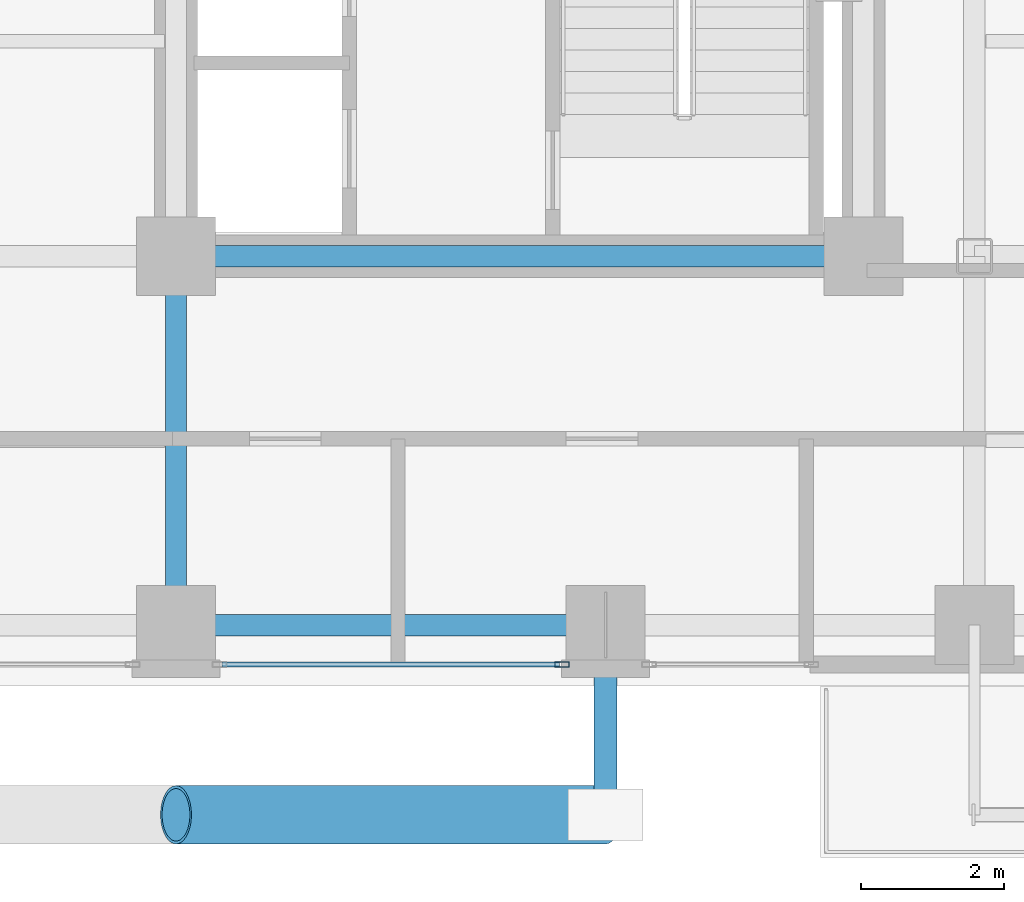
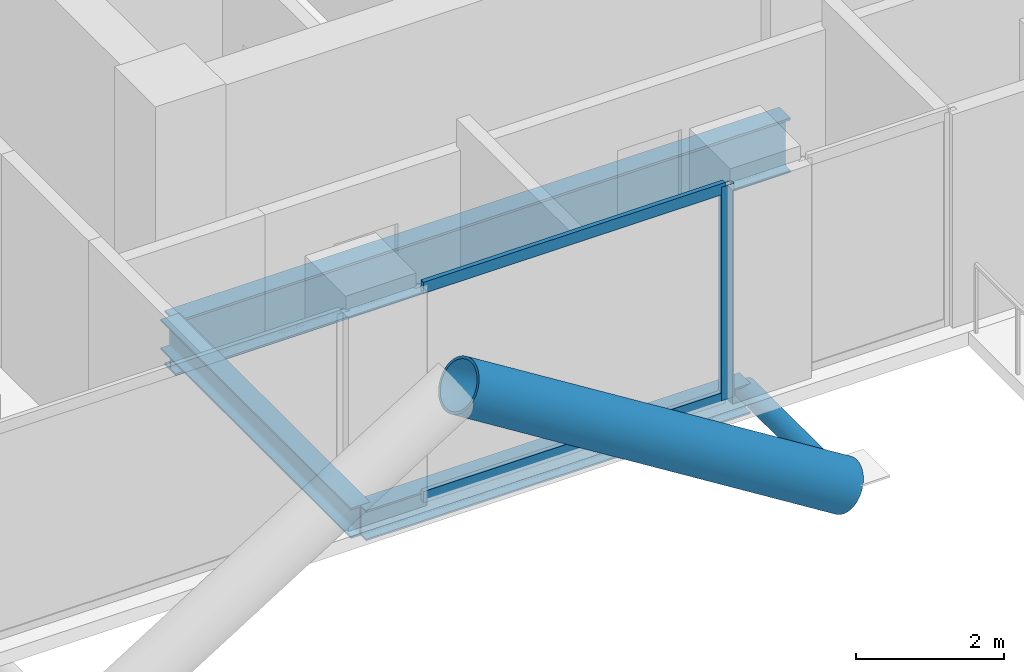
# One storey, part 5 of 28: 5 members, 3 beams, 1 element without a shape of its own.
"""IFC4 building model written with IfcOpenShell, lengths in metres."""

from ifc_helpers import new_model, si_unit, direction, frame, origin, origin_2d, place, context, subcontext, project, spatial, hollow_rectangle, hollow_circle, i_section, extrude, material, layer, layer_set, material_profile, profile_set, type_object, element, aggregate, save


model = new_model("IFC4")

# Units and contexts
model_context = context("Model", 3, precision=1e-05, world=origin(), true_north=direction((0.0, 1.0)))
body_context = subcontext(model_context, "Body", "Model", "MODEL_VIEW")
ifc_project = project(units=[si_unit("LENGTHUNIT", "METRE"), si_unit("AREAUNIT", "SQUARE_METRE"), si_unit("VOLUMEUNIT", "CUBIC_METRE"), si_unit("PLANEANGLEUNIT", "RADIAN"), si_unit("MASSUNIT", "GRAM", prefix="KILO"), si_unit("THERMODYNAMICTEMPERATUREUNIT", "KELVIN"), si_unit("POWERUNIT", "WATT")], contexts=[model_context])

# Site, building, storey
site_placement = place(None, origin())
site = spatial("IfcSite", under=ifc_project, at=site_placement, CompositionType="ELEMENT")
building_placement = place(site_placement, origin())
building = spatial("IfcBuilding", under=site, at=building_placement, Name="Svarakhadi Broadcast Tower", CompositionType="ELEMENT")
storey_placement = place(building_placement, frame((0.0, 0.0, 119.39990234375)))
storey = spatial("IfcBuildingStorey", under=building, at=storey_placement, Name="L28", CompositionType="ELEMENT", Elevation=119.39990234375)

# Curtain wall, members
ifc_material_1 = material(Name="Anodised Bronze Aluminium AA 6063-T6", Category="aluminium")
ifc_layer = layer(ifc_material_1, 0.199951171875)
ifc_layer_set = layer_set([ifc_layer], Name="Anodised Bronze Aluminium AA 6063-T6")
curtain_wall_type = type_object("IfcCurtainWallType", Name="CW_Sys_03", PredefinedType="NOTDEFINED", material=ifc_layer_set)
curtain_wall_placement = place(storey_placement, origin())
curtain_wall = element("IfcCurtainWall", 1, at=curtain_wall_placement, inside=storey, type_object=curtain_wall_type, Name="L28 South Curtain Wall 17 Bay 2", PredefinedType="NOTDEFINED")
ifc_material_profile_1 = material_profile(ifc_material_1, hollow_rectangle(XDim=0.074951171875, YDim=0.199951171875, WallThickness=0.005615234375, at=origin_2d()), Name="ALU MULLION 200x75x6")
ifc_profile_set_1 = profile_set([ifc_material_profile_1], Name="Anodised Bronze Aluminium AA 6063-T6")
member_type_1 = type_object("IfcMemberType", Name="CW_Sys_03_Mul", PredefinedType="MULLION", material=ifc_profile_set_1)
member_1_placement = place(storey_placement, frame((29.392578125, 0.300048828125, 0.0), z_axis=(0.0, 0.0, 1.0), x_axis=(0.0, -1.0, 0.0)))
member_1 = element("IfcMember", 2, at=member_1_placement, type_object=member_type_1, Name="CW-03 mullion 1", PredefinedType="MULLION", context=body_context, shape_type="SweptSolid", body=[
    extrude(hollow_rectangle(XDim=0.074951171875, YDim=0.199951171875, WallThickness=0.005615234375, at=origin_2d()), origin(), (0.0, 0.0, 1.0), 3.525146484375),
])
ifc_material_profile_2 = material_profile(ifc_material_1, hollow_rectangle(XDim=0.070068359375, YDim=0.18505859375, WallThickness=0.0048828125, at=origin_2d()), Name="ALU TRANSOM 185x70x5")
ifc_profile_set_2 = profile_set([ifc_material_profile_2], Name="Anodised Bronze Aluminium AA 6063-T6")
member_type_2 = type_object("IfcMemberType", Name="CW_Sys_03_Trn", PredefinedType="USERDEFINED", material=ifc_profile_set_2)
member_2_placement = place(storey_placement, frame((29.35498046875, 0.300048828125, 0.03515625), z_axis=(-1.0, 0.0, 0.0), x_axis=(0.0, -1.0, 0.0)))
member_2 = element("IfcMember", 3, at=member_2_placement, type_object=member_type_2, Name="CW-03 transom 1.1", ObjectType="TRANSOM", PredefinedType="USERDEFINED", context=body_context, shape_type="SweptSolid", body=[
    extrude(hollow_rectangle(XDim=0.070068359375, YDim=0.18505859375, WallThickness=0.0048828125, at=origin_2d()), origin(), (0.0, 0.0, 1.0), 4.7099609375),
])
member_3_placement = place(storey_placement, frame((29.35498046875, 0.300048828125, 3.489990234375), z_axis=(-1.0, 0.0, 0.0), x_axis=(0.0, -1.0, 0.0)))
member_3 = element("IfcMember", 4, at=member_3_placement, type_object=member_type_2, Name="CW-03 transom 1.2", ObjectType="TRANSOM", PredefinedType="USERDEFINED", context=body_context, shape_type="SweptSolid", body=[
    extrude(hollow_rectangle(XDim=0.070068359375, YDim=0.18505859375, WallThickness=0.0048828125, at=origin_2d()), origin(), (0.0, 0.0, 1.0), 4.7099609375),
])
aggregate(curtain_wall, [member_1, member_2, member_3])

# Members
ifc_material_2 = material(Name="Steel S460ML (IS 2062 E450BR)", Category="steel")
ifc_material_profile_3 = material_profile(ifc_material_2, hollow_circle(Radius=0.406494140625, WallThickness=0.0400390625, at=origin_2d()), Name="CHS 813x40")
ifc_profile_set_3 = profile_set([ifc_material_profile_3], Name="Steel S460ML (IS 2062 E450BR)")
member_type_3 = type_object("IfcMemberType", Name="Exo_Brace_CHS813", PredefinedType="BRACE", material=ifc_profile_set_3)
member_4_placement = place(storey_placement, frame((30.0, -1.800048828125, -0.386962890625), z_axis=(-0.847998304005, 0.0, 0.529998940003), x_axis=(0.0, -1.0, 0.0)))
element("IfcMember", 5, at=member_4_placement, inside=storey, type_object=member_type_3, Name="L28 Exposed Bronze Exoskeleton Diagonal S04", PredefinedType="BRACE", context=body_context, shape_type="SweptSolid", body=[
    extrude(hollow_circle(Radius=0.406494140625, WallThickness=0.0400390625, at=origin_2d()), origin(), (0.0, 0.0, 1.0), 7.075439453125),
])
ifc_material_profile_4 = material_profile(ifc_material_2, hollow_circle(Radius=0.161865234375, WallThickness=0.01611328125, at=origin_2d()), Name="CHS 323.9x16")
ifc_profile_set_4 = profile_set([ifc_material_profile_4], Name="Steel S460ML (IS 2062 E450BR)")
member_type_4 = type_object("IfcMemberType", Name="Exo_Radial_Strut_Z2", PredefinedType="STRUT", material=ifc_profile_set_4)
member_5_placement = place(storey_placement, frame((30.0, -1.800048828125, -0.386962890625), z_axis=(0.0, 1.0, 0.0), x_axis=(-1.0, 0.0, 0.0)))
element("IfcMember", 6, at=member_5_placement, inside=storey, type_object=member_type_4, Name="L28 Exoskeleton Radial Tie Strut S03", PredefinedType="STRUT", context=body_context, shape_type="SweptSolid", body=[
    extrude(hollow_circle(Radius=0.161865234375, WallThickness=0.01611328125, at=origin_2d()), origin(), (0.0, 0.0, 1.0), 2.650146484375),
])

# Beams
ifc_material_3 = material(Name="Steel S355J2 (IS 2062 E350C)", Category="steel")
ifc_material_profile_5 = material_profile(ifc_material_3, i_section(OverallWidth=0.300048828125, OverallDepth=0.5, WebThickness=0.014404296875, FlangeThickness=0.028076171875, FilletRadius=0.027099609375, at=origin_2d()), Name="WPB 500x300x187")
ifc_profile_set_5 = profile_set([ifc_material_profile_5], Name="Steel S355J2 (IS 2062 E350C)")
beam_type_1 = type_object("IfcBeamType", Name="Girder_WPB500", PredefinedType="USERDEFINED", material=ifc_profile_set_5)
beam_1_placement = place(storey_placement, frame((24.0, 0.85009765625, -0.474853515625), z_axis=(1.0, 0.0, 0.0), x_axis=(0.0, 1.0, 0.0)))
element("IfcBeam", 7, at=beam_1_placement, inside=storey, type_object=beam_type_1, Name="L28 Primary E-W Girder G007", ObjectType="GIRDER", PredefinedType="USERDEFINED", context=body_context, shape_type="SweptSolid", body=[
    extrude(i_section(OverallWidth=0.300048828125, OverallDepth=0.5, WebThickness=0.014404296875, FlangeThickness=0.028076171875, FilletRadius=0.027099609375, at=origin_2d()), origin(), (0.0, 0.0, 1.0), 6.0),
])
beam_2_placement = place(storey_placement, frame((24.0, 0.85009765625, -0.474853515625), z_axis=(0.0, 1.0, 0.0), x_axis=(-1.0, 0.0, 0.0)))
element("IfcBeam", 8, at=beam_2_placement, inside=storey, type_object=beam_type_1, Name="L28 Primary N-S Girder G062", ObjectType="GIRDER", PredefinedType="USERDEFINED", context=body_context, shape_type="SweptSolid", body=[
    extrude(i_section(OverallWidth=0.300048828125, OverallDepth=0.5, WebThickness=0.014404296875, FlangeThickness=0.028076171875, FilletRadius=0.027099609375, at=origin_2d()), origin(), (0.0, 0.0, 1.0), 5.14990234375),
])
ifc_material_profile_6 = material_profile(ifc_material_2, i_section(OverallWidth=0.300048828125, OverallDepth=0.89990234375, WebThickness=0.0185546875, FlangeThickness=0.034912109375, FilletRadius=0.030029296875, at=origin_2d()), Name="WPB 900x300x291")
ifc_profile_set_6 = profile_set([ifc_material_profile_6], Name="Steel S460ML (IS 2062 E450BR)")
beam_type_2 = type_object("IfcBeamType", Name="Girder_WPB900", PredefinedType="USERDEFINED", material=ifc_profile_set_6)
beam_3_placement = place(storey_placement, frame((24.0, 6.0, -0.6748046875), z_axis=(1.0, 0.0, 0.0), x_axis=(0.0, 1.0, 0.0)))
element("IfcBeam", 9, at=beam_3_placement, inside=storey, type_object=beam_type_2, Name="L28 Primary E-W Girder G014", ObjectType="GIRDER", PredefinedType="USERDEFINED", context=body_context, shape_type="SweptSolid", body=[
    extrude(i_section(OverallWidth=0.300048828125, OverallDepth=0.89990234375, WebThickness=0.0185546875, FlangeThickness=0.034912109375, FilletRadius=0.030029296875, at=origin_2d()), origin(), (0.0, 0.0, 1.0), 9.60009765625),
])

save(model, "model.ifc")
